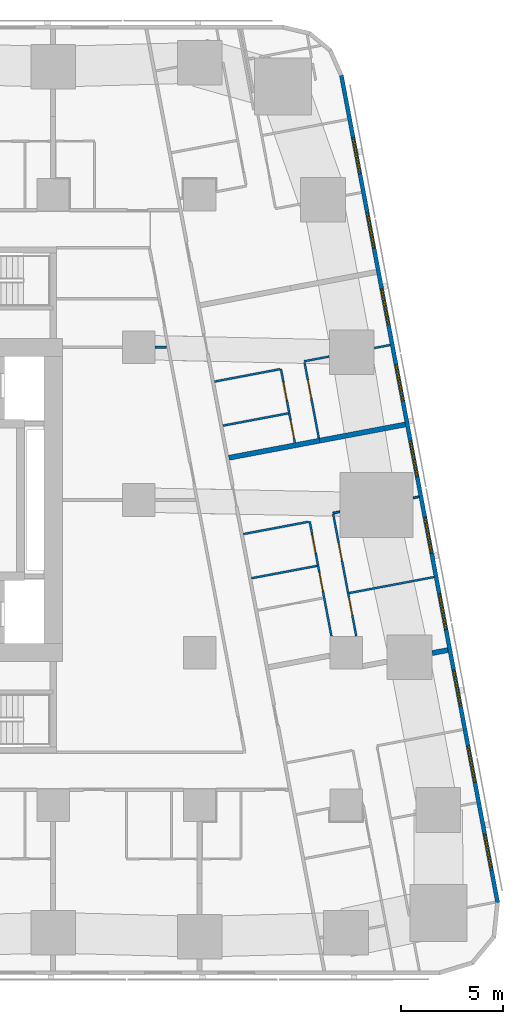
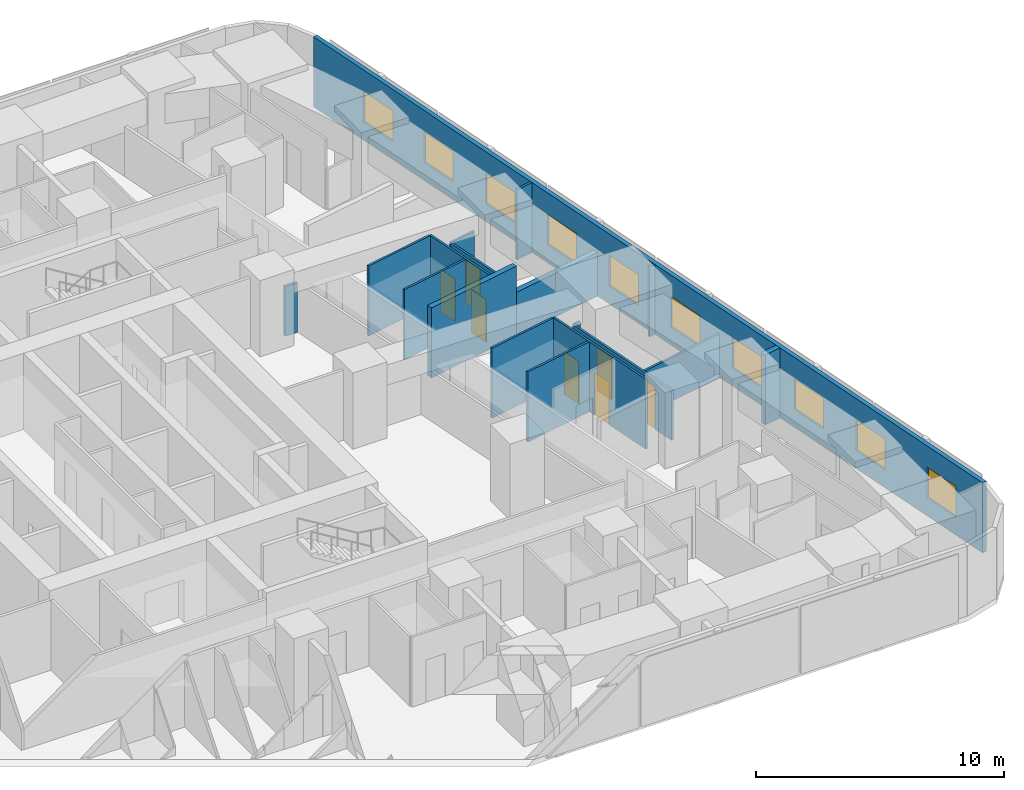
# One storey, part 7 of 14: 18 walls, 10 windows, 7 doors, 17 openings.
"""IFC4 building model written with IfcOpenShell, lengths in metres."""

from ifc_helpers import new_model, si_unit, direction, frame, frame_2d, origin, place, context, subcontext, project, spatial, rectangle, extrude, material, layer, layer_set, type_object, element, fill, save


model = new_model("IFC4")

# Units and contexts
model_context = context("Model", 3, precision=1e-05, world=origin(), true_north=direction((0.0, 1.0)))
body_context = subcontext(model_context, "Body", "Model", "MODEL_VIEW")
ifc_project = project(units=[si_unit("LENGTHUNIT", "METRE"), si_unit("AREAUNIT", "SQUARE_METRE"), si_unit("VOLUMEUNIT", "CUBIC_METRE"), si_unit("PLANEANGLEUNIT", "RADIAN"), si_unit("MASSUNIT", "GRAM", prefix="KILO")], contexts=[model_context])

# Site, building, storey
site_placement = place(None, origin())
site = spatial("IfcSite", under=ifc_project, at=site_placement, CompositionType="ELEMENT")
building_placement = place(site_placement, origin())
building = spatial("IfcBuilding", under=site, at=building_placement, Name="Sheger Commons Tower", CompositionType="ELEMENT")
storey_placement = place(building_placement, frame((0.0, 0.0, 126.64990234375)))
storey = spatial("IfcBuildingStorey", under=building, at=storey_placement, Name="L32", CompositionType="ELEMENT", Elevation=126.64990234375)

# Walls
ifc_material_1 = material(Name="Dense concrete block masonry, plastered both sides (separating wall between flats)", Category="masonry")
ifc_layer_1 = layer(ifc_material_1, 0.25)
ifc_layer_set_1 = layer_set([ifc_layer_1], Name="DEMISING WALL 250")
wall_type_1 = type_object("IfcWallType", Name="DEMISING WALL 250", PredefinedType="SOLIDWALL", material=ifc_layer_set_1)
wall_1_placement = place(storey_placement, frame((46.110107421875, 26.212890625, 0.0), z_axis=(0.0, 0.0, 1.0), x_axis=(-0.982633535512, -0.185556823879, 0.0)))
element("IfcWall", 1, at=wall_1_placement, inside=storey, type_object=wall_type_1, Name="Demising wall L32", PredefinedType="SOLIDWALL", context=body_context, shape_type="SweptSolid", body=[
    extrude(rectangle(XDim=4.2998046875, YDim=0.25, at=frame_2d((2.14990234375, 0.0))), origin(), (0.0, 0.0, 1.0), 2.150146484375),
])
wall_2_placement = place(storey_placement, frame((41.885009765625, 25.4150390625, 0.0), z_axis=(0.0, 0.0, 1.0), x_axis=(-0.982612837616, -0.185666398014, 0.0)))
element("IfcWall", 2, at=wall_2_placement, inside=storey, type_object=wall_type_1, Name="Demising wall L32", PredefinedType="SOLIDWALL", context=body_context, shape_type="SweptSolid", body=[
    extrude(rectangle(XDim=4.524658203125, YDim=0.25, at=frame_2d((2.26220703125, 0.0))), origin(), (0.0, 0.0, 1.0), 3.4501953125),
])
wall_3_placement = place(storey_placement, frame((48.2060546875, 15.1201171875, 0.0), z_axis=(0.0, 0.0, 1.0), x_axis=(-0.982638023929, -0.185533053469, 0.0)))
element("IfcWall", 3, at=wall_3_placement, inside=storey, type_object=wall_type_1, Name="Demising wall L32", PredefinedType="SOLIDWALL", context=body_context, shape_type="SweptSolid", body=[
    extrude(rectangle(XDim=0.78173828125, YDim=0.25, at=frame_2d((0.390869140625, 0.0))), origin(), (0.0, 0.0, 1.0), 3.4501953125),
])

# Wall, openings, windows
ifc_material_2 = material(Name="Rendered concrete block masonry, dark grey", Category="masonry")
ifc_layer_2 = layer(ifc_material_2, 0.199951171875)
ifc_layer_set_2 = layer_set([ifc_layer_2], Name="FACADE WALL 200")
wall_type_2 = type_object("IfcWallType", Name="FACADE WALL 200", PredefinedType="SOLIDWALL", material=ifc_layer_set_2)
wall_4_placement = place(storey_placement, frame((50.653076171875, 2.702880859375, 0.0), z_axis=(0.0, 0.0, 1.0), x_axis=(-0.185612026696, 0.982623109613, 0.0)))
wall_4 = element("IfcWall", 4, at=wall_4_placement, inside=storey, type_object=wall_type_2, Name="Facade wall L32", PredefinedType="SOLIDWALL", context=body_context, shape_type="SweptSolid", body=[
    extrude(rectangle(XDim=41.393310546875, YDim=0.199951171875, at=frame_2d((20.69677734375, 0.0))), origin(), (0.0, 0.0, 1.0), 3.4501953125),
])
opening_1_placement = place(wall_4_placement, frame((1.633056640625, 0.0, 0.89990234375)))
opening_1 = element("IfcOpeningElement", 5, at=opening_1_placement, cuts=wall_4, Name="Opening W2", PredefinedType="OPENING", context=body_context, shape_type="SweptSolid", body=[
    extrude(rectangle(XDim=1.800048828125, YDim=1.5, at=frame_2d((0.89990234375, 0.75))), frame((0.0, 0.10986328125, 0.0), z_axis=(0.0, -1.0, 0.0), x_axis=(1.0, 0.0, 0.0)), (0.0, 0.0, 1.0), 0.219970703125),
])
opening_2_placement = place(wall_4_placement, frame((6.031982421875, 0.0, 0.89990234375)))
opening_2 = element("IfcOpeningElement", 6, at=opening_2_placement, cuts=wall_4, Name="Opening W2", PredefinedType="OPENING", context=body_context, shape_type="SweptSolid", body=[
    extrude(rectangle(XDim=1.800048828125, YDim=1.5, at=frame_2d((0.89990234375, 0.75))), frame((0.0, 0.10986328125, 0.0), z_axis=(0.0, -1.0, 0.0), x_axis=(1.0, 0.0, 0.0)), (0.0, 0.0, 1.0), 0.219970703125),
])
opening_3_placement = place(wall_4_placement, frame((9.847900390625, 0.0, 0.89990234375)))
opening_3 = element("IfcOpeningElement", 7, at=opening_3_placement, cuts=wall_4, Name="Opening W2", PredefinedType="OPENING", context=body_context, shape_type="SweptSolid", body=[
    extrude(rectangle(XDim=1.800048828125, YDim=1.5, at=frame_2d((0.89990234375, 0.75))), frame((0.0, 0.10986328125, 0.0), z_axis=(0.0, -1.0, 0.0), x_axis=(1.0, 0.0, 0.0)), (0.0, 0.0, 1.0), 0.219970703125),
])
opening_4_placement = place(wall_4_placement, frame((13.6640625, 0.0, 0.89990234375)))
opening_4 = element("IfcOpeningElement", 8, at=opening_4_placement, cuts=wall_4, Name="Opening W2", PredefinedType="OPENING", context=body_context, shape_type="SweptSolid", body=[
    extrude(rectangle(XDim=1.800048828125, YDim=1.5, at=frame_2d((0.89990234375, 0.75))), frame((0.0, 0.10986328125, 0.0), z_axis=(0.0, -1.0, 0.0), x_axis=(1.0, 0.0, 0.0)), (0.0, 0.0, 1.0), 0.219970703125),
])
opening_5_placement = place(wall_4_placement, frame((17.48095703125, 0.0, 0.89990234375)))
opening_5 = element("IfcOpeningElement", 9, at=opening_5_placement, cuts=wall_4, Name="Opening W2", PredefinedType="OPENING", context=body_context, shape_type="SweptSolid", body=[
    extrude(rectangle(XDim=1.800048828125, YDim=1.5, at=frame_2d((0.89990234375, 0.75))), frame((0.0, 0.10986328125, 0.0), z_axis=(0.0, -1.0, 0.0), x_axis=(1.0, 0.0, 0.0)), (0.0, 0.0, 1.0), 0.219970703125),
])
opening_6_placement = place(wall_4_placement, frame((21.297119140625, 0.0, 0.89990234375)))
opening_6 = element("IfcOpeningElement", 10, at=opening_6_placement, cuts=wall_4, Name="Opening W2", PredefinedType="OPENING", context=body_context, shape_type="SweptSolid", body=[
    extrude(rectangle(XDim=1.800048828125, YDim=1.5, at=frame_2d((0.89990234375, 0.75))), frame((0.0, 0.10986328125, 0.0), z_axis=(0.0, -1.0, 0.0), x_axis=(1.0, 0.0, 0.0)), (0.0, 0.0, 1.0), 0.219970703125),
])
opening_7_placement = place(wall_4_placement, frame((25.113037109375, 0.0, 0.89990234375)))
opening_7 = element("IfcOpeningElement", 11, at=opening_7_placement, cuts=wall_4, Name="Opening W2", PredefinedType="OPENING", context=body_context, shape_type="SweptSolid", body=[
    extrude(rectangle(XDim=1.800048828125, YDim=1.5, at=frame_2d((0.89990234375, 0.75))), frame((0.0, 0.10986328125, 0.0), z_axis=(0.0, -1.0, 0.0), x_axis=(1.0, 0.0, 0.0)), (0.0, 0.0, 1.0), 0.219970703125),
])
opening_8_placement = place(wall_4_placement, frame((28.929931640625, 0.0, 0.89990234375)))
opening_8 = element("IfcOpeningElement", 12, at=opening_8_placement, cuts=wall_4, Name="Opening W2", PredefinedType="OPENING", context=body_context, shape_type="SweptSolid", body=[
    extrude(rectangle(XDim=1.800048828125, YDim=1.5, at=frame_2d((0.89990234375, 0.75))), frame((0.0, 0.10986328125, 0.0), z_axis=(0.0, -1.0, 0.0), x_axis=(1.0, 0.0, 0.0)), (0.0, 0.0, 1.0), 0.219970703125),
])
opening_9_placement = place(wall_4_placement, frame((32.74609375, 0.0, 0.89990234375)))
opening_9 = element("IfcOpeningElement", 13, at=opening_9_placement, cuts=wall_4, Name="Opening W2", PredefinedType="OPENING", context=body_context, shape_type="SweptSolid", body=[
    extrude(rectangle(XDim=1.800048828125, YDim=1.5, at=frame_2d((0.89990234375, 0.75))), frame((0.0, 0.10986328125, 0.0), z_axis=(0.0, -1.0, 0.0), x_axis=(1.0, 0.0, 0.0)), (0.0, 0.0, 1.0), 0.219970703125),
])
opening_10_placement = place(wall_4_placement, frame((36.48095703125, 0.0, 0.89990234375)))
opening_10 = element("IfcOpeningElement", 14, at=opening_10_placement, cuts=wall_4, Name="Opening W2", PredefinedType="OPENING", context=body_context, shape_type="SweptSolid", body=[
    extrude(rectangle(XDim=1.800048828125, YDim=1.5, at=frame_2d((0.89990234375, 0.75))), frame((0.0, 0.10986328125, 0.0), z_axis=(0.0, -1.0, 0.0), x_axis=(1.0, 0.0, 0.0)), (0.0, 0.0, 1.0), 0.219970703125),
])
ifc_material_3 = material(Name="Black aluminium frame, dark tinted double glazing", Category="aluminium")
window_type = type_object("IfcWindowType", Name="WINDOW W2 1800x1500", PartitioningType="SINGLE_PANEL", PredefinedType="WINDOW", material=ifc_material_3)
window_1_placement = place(opening_1_placement, origin())
window_1 = element("IfcWindow", 15, at=window_1_placement, inside=storey, type_object=window_type, Name="Window W2 1800X1500", OverallHeight=1.5, OverallWidth=1.800048828125, PartitioningType="SINGLE_PANEL", PredefinedType="WINDOW", context=body_context, shape_type="SweptSolid", body=[
    extrude(rectangle(XDim=1.800048828125, YDim=1.5, at=frame_2d((0.89990234375, 0.75))), frame((0.0, 0.030029296875, 0.0), z_axis=(0.0, -1.0, 0.0), x_axis=(1.0, 0.0, 0.0)), (0.0, 0.0, 1.0), 0.06005859375),
])
fill(opening_1, window_1)
window_2_placement = place(opening_2_placement, origin())
window_2 = element("IfcWindow", 16, at=window_2_placement, inside=storey, type_object=window_type, Name="Window W2 1800X1500", OverallHeight=1.5, OverallWidth=1.800048828125, PartitioningType="SINGLE_PANEL", PredefinedType="WINDOW", context=body_context, shape_type="SweptSolid", body=[
    extrude(rectangle(XDim=1.800048828125, YDim=1.5, at=frame_2d((0.89990234375, 0.75))), frame((0.0, 0.030029296875, 0.0), z_axis=(0.0, -1.0, 0.0), x_axis=(1.0, 0.0, 0.0)), (0.0, 0.0, 1.0), 0.06005859375),
])
fill(opening_2, window_2)
window_3_placement = place(opening_3_placement, origin())
window_3 = element("IfcWindow", 17, at=window_3_placement, inside=storey, type_object=window_type, Name="Window W2 1800X1500", OverallHeight=1.5, OverallWidth=1.800048828125, PartitioningType="SINGLE_PANEL", PredefinedType="WINDOW", context=body_context, shape_type="SweptSolid", body=[
    extrude(rectangle(XDim=1.800048828125, YDim=1.5, at=frame_2d((0.89990234375, 0.75))), frame((0.0, 0.030029296875, 0.0), z_axis=(0.0, -1.0, 0.0), x_axis=(1.0, 0.0, 0.0)), (0.0, 0.0, 1.0), 0.06005859375),
])
fill(opening_3, window_3)
window_4_placement = place(opening_4_placement, origin())
window_4 = element("IfcWindow", 18, at=window_4_placement, inside=storey, type_object=window_type, Name="Window W2 1800X1500", OverallHeight=1.5, OverallWidth=1.800048828125, PartitioningType="SINGLE_PANEL", PredefinedType="WINDOW", context=body_context, shape_type="SweptSolid", body=[
    extrude(rectangle(XDim=1.800048828125, YDim=1.5, at=frame_2d((0.89990234375, 0.75))), frame((0.0, 0.030029296875, 0.0), z_axis=(0.0, -1.0, 0.0), x_axis=(1.0, 0.0, 0.0)), (0.0, 0.0, 1.0), 0.06005859375),
])
fill(opening_4, window_4)
window_5_placement = place(opening_5_placement, origin())
window_5 = element("IfcWindow", 19, at=window_5_placement, inside=storey, type_object=window_type, Name="Window W2 1800X1500", OverallHeight=1.5, OverallWidth=1.800048828125, PartitioningType="SINGLE_PANEL", PredefinedType="WINDOW", context=body_context, shape_type="SweptSolid", body=[
    extrude(rectangle(XDim=1.800048828125, YDim=1.5, at=frame_2d((0.89990234375, 0.75))), frame((0.0, 0.030029296875, 0.0), z_axis=(0.0, -1.0, 0.0), x_axis=(1.0, 0.0, 0.0)), (0.0, 0.0, 1.0), 0.06005859375),
])
fill(opening_5, window_5)
window_6_placement = place(opening_6_placement, origin())
window_6 = element("IfcWindow", 20, at=window_6_placement, inside=storey, type_object=window_type, Name="Window W2 1800X1500", OverallHeight=1.5, OverallWidth=1.800048828125, PartitioningType="SINGLE_PANEL", PredefinedType="WINDOW", context=body_context, shape_type="SweptSolid", body=[
    extrude(rectangle(XDim=1.800048828125, YDim=1.5, at=frame_2d((0.89990234375, 0.75))), frame((0.0, 0.030029296875, 0.0), z_axis=(0.0, -1.0, 0.0), x_axis=(1.0, 0.0, 0.0)), (0.0, 0.0, 1.0), 0.06005859375),
])
fill(opening_6, window_6)
window_7_placement = place(opening_7_placement, origin())
window_7 = element("IfcWindow", 21, at=window_7_placement, inside=storey, type_object=window_type, Name="Window W2 1800X1500", OverallHeight=1.5, OverallWidth=1.800048828125, PartitioningType="SINGLE_PANEL", PredefinedType="WINDOW", context=body_context, shape_type="SweptSolid", body=[
    extrude(rectangle(XDim=1.800048828125, YDim=1.5, at=frame_2d((0.89990234375, 0.75))), frame((0.0, 0.030029296875, 0.0), z_axis=(0.0, -1.0, 0.0), x_axis=(1.0, 0.0, 0.0)), (0.0, 0.0, 1.0), 0.06005859375),
])
fill(opening_7, window_7)
window_8_placement = place(opening_8_placement, origin())
window_8 = element("IfcWindow", 22, at=window_8_placement, inside=storey, type_object=window_type, Name="Window W2 1800X1500", OverallHeight=1.5, OverallWidth=1.800048828125, PartitioningType="SINGLE_PANEL", PredefinedType="WINDOW", context=body_context, shape_type="SweptSolid", body=[
    extrude(rectangle(XDim=1.800048828125, YDim=1.5, at=frame_2d((0.89990234375, 0.75))), frame((0.0, 0.030029296875, 0.0), z_axis=(0.0, -1.0, 0.0), x_axis=(1.0, 0.0, 0.0)), (0.0, 0.0, 1.0), 0.06005859375),
])
fill(opening_8, window_8)
window_9_placement = place(opening_9_placement, origin())
window_9 = element("IfcWindow", 23, at=window_9_placement, inside=storey, type_object=window_type, Name="Window W2 1800X1500", OverallHeight=1.5, OverallWidth=1.800048828125, PartitioningType="SINGLE_PANEL", PredefinedType="WINDOW", context=body_context, shape_type="SweptSolid", body=[
    extrude(rectangle(XDim=1.800048828125, YDim=1.5, at=frame_2d((0.89990234375, 0.75))), frame((0.0, 0.030029296875, 0.0), z_axis=(0.0, -1.0, 0.0), x_axis=(1.0, 0.0, 0.0)), (0.0, 0.0, 1.0), 0.06005859375),
])
fill(opening_9, window_9)
window_10_placement = place(opening_10_placement, origin())
window_10 = element("IfcWindow", 24, at=window_10_placement, inside=storey, type_object=window_type, Name="Window W2 1800X1500", OverallHeight=1.5, OverallWidth=1.800048828125, PartitioningType="SINGLE_PANEL", PredefinedType="WINDOW", context=body_context, shape_type="SweptSolid", body=[
    extrude(rectangle(XDim=1.800048828125, YDim=1.5, at=frame_2d((0.89990234375, 0.75))), frame((0.0, 0.030029296875, 0.0), z_axis=(0.0, -1.0, 0.0), x_axis=(1.0, 0.0, 0.0)), (0.0, 0.0, 1.0), 0.06005859375),
])
fill(opening_10, window_10)

# Wall, opening, door
ifc_material_4 = material(Name="Gypsum board on steel studs", Category="steel")
ifc_layer_3 = layer(ifc_material_4, 0.10009765625)
ifc_layer_set_3 = layer_set([ifc_layer_3], Name="PARTITION 100")
wall_type_3 = type_object("IfcWallType", Name="PARTITION 100", PredefinedType="PARTITIONING", material=ifc_layer_set_3)
wall_5_placement = place(storey_placement, frame((41.156005859375, 29.27294921875, 0.0), z_axis=(0.0, 0.0, 1.0), x_axis=(0.185474762472, -0.982649028131, 0.0)))
wall_5 = element("IfcWall", 25, at=wall_5_placement, inside=storey, type_object=wall_type_3, Name="Partition L32", PredefinedType="PARTITIONING", context=body_context, shape_type="SweptSolid", body=[
    extrude(rectangle(XDim=3.78955078125, YDim=0.10009765625, at=frame_2d((1.894775390625, 0.0))), origin(), (0.0, 0.0, 1.0), 2.4501953125),
])
opening_11_placement = place(wall_5_placement, frame((0.89990234375, 0.0, 0.0)))
opening_11 = element("IfcOpeningElement", 26, at=opening_11_placement, cuts=wall_5, Name="Opening D2", PredefinedType="OPENING", context=body_context, shape_type="SweptSolid", body=[
    extrude(rectangle(XDim=0.89990234375, YDim=2.10009765625, at=frame_2d((0.449951171875, 1.050048828125))), frame((0.0, 0.06005859375, 0.0), z_axis=(0.0, -1.0, 0.0), x_axis=(1.0, 0.0, 0.0)), (0.0, 0.0, 1.0), 0.1201171875),
])
ifc_material_5 = material(Name="Timber door set", Category="wood")
door_type = type_object("IfcDoorType", Name="INTERNAL DOOR 900x2100", OperationType="NOTDEFINED", PredefinedType="DOOR", material=ifc_material_5)
door_1_placement = place(opening_11_placement, origin())
door_1 = element("IfcDoor", 27, at=door_1_placement, inside=storey, type_object=door_type, Name="Main bedroom door", OperationType="SINGLE_SWING_LEFT", OverallHeight=2.10009765625, OverallWidth=0.89990234375, PredefinedType="DOOR", context=body_context, shape_type="SweptSolid", body=[
    extrude(rectangle(XDim=0.89990234375, YDim=2.10009765625, at=frame_2d((0.449951171875, 1.050048828125))), frame((0.0, 0.02490234375, 0.0), z_axis=(0.0, -1.0, 0.0), x_axis=(1.0, 0.0, 0.0)), (0.0, 0.0, 1.0), 0.050048828125),
])
fill(opening_11, door_1)

# Wall, openings, doors
wall_6_placement = place(storey_placement, frame((39.9970703125, 28.94189453125, 0.0), z_axis=(0.0, 0.0, 1.0), x_axis=(0.185580474845, -0.982629069057, 0.0)))
wall_6 = element("IfcWall", 28, at=wall_6_placement, inside=storey, type_object=wall_type_3, Name="Partition L32", PredefinedType="PARTITIONING", context=body_context, shape_type="SweptSolid", body=[
    extrude(rectangle(XDim=3.684814453125, YDim=0.10009765625, at=frame_2d((1.84228515625, 0.0))), origin(), (0.0, 0.0, 1.0), 3.4501953125),
])
opening_12_placement = place(wall_6_placement, frame((0.655029296875, 0.0, 0.0)))
opening_12 = element("IfcOpeningElement", 29, at=opening_12_placement, cuts=wall_6, Name="Opening D2", PredefinedType="OPENING", context=body_context, shape_type="SweptSolid", body=[
    extrude(rectangle(XDim=0.89990234375, YDim=2.10009765625, at=frame_2d((0.449951171875, 1.050048828125))), frame((0.0, 0.06005859375, 0.0), z_axis=(0.0, -1.0, 0.0), x_axis=(1.0, 0.0, 0.0)), (0.0, 0.0, 1.0), 0.1201171875),
])
opening_13_placement = place(wall_6_placement, frame((2.56298828125, 0.0, 0.0)))
opening_13 = element("IfcOpeningElement", 30, at=opening_13_placement, cuts=wall_6, Name="Opening D2", PredefinedType="OPENING", context=body_context, shape_type="SweptSolid", body=[
    extrude(rectangle(XDim=0.89990234375, YDim=2.10009765625, at=frame_2d((0.449951171875, 1.050048828125))), frame((0.0, 0.06005859375, 0.0), z_axis=(0.0, -1.0, 0.0), x_axis=(1.0, 0.0, 0.0)), (0.0, 0.0, 1.0), 0.1201171875),
])
door_2_placement = place(opening_12_placement, origin())
door_2 = element("IfcDoor", 31, at=door_2_placement, inside=storey, type_object=door_type, Name="Bathroom door", OperationType="SINGLE_SWING_RIGHT", OverallHeight=2.10009765625, OverallWidth=0.89990234375, PredefinedType="DOOR", context=body_context, shape_type="SweptSolid", body=[
    extrude(rectangle(XDim=0.89990234375, YDim=2.10009765625, at=frame_2d((0.449951171875, 1.050048828125))), frame((0.0, 0.02490234375, 0.0), z_axis=(0.0, -1.0, 0.0), x_axis=(1.0, 0.0, 0.0)), (0.0, 0.0, 1.0), 0.050048828125),
])
fill(opening_12, door_2)
door_3_placement = place(opening_13_placement, origin())
door_3 = element("IfcDoor", 32, at=door_3_placement, inside=storey, type_object=door_type, Name="Store door", OperationType="SINGLE_SWING_LEFT", OverallHeight=2.10009765625, OverallWidth=0.89990234375, PredefinedType="DOOR", context=body_context, shape_type="SweptSolid", body=[
    extrude(rectangle(XDim=0.89990234375, YDim=2.10009765625, at=frame_2d((0.449951171875, 1.050048828125))), frame((0.0, 0.02490234375, 0.0), z_axis=(0.0, -1.0, 0.0), x_axis=(1.0, 0.0, 0.0)), (0.0, 0.0, 1.0), 0.050048828125),
])
fill(opening_13, door_3)

# Walls
wall_7_placement = place(storey_placement, frame((45.3720703125, 30.12109375, 0.0), z_axis=(0.0, 0.0, 1.0), x_axis=(-0.982512656401, -0.186195810938, 0.0)))
element("IfcWall", 33, at=wall_7_placement, inside=storey, type_object=wall_type_3, Name="Partition L32", PredefinedType="PARTITIONING", context=body_context, shape_type="SweptSolid", body=[
    extrude(rectangle(XDim=0.7958984375, YDim=0.10009765625, at=frame_2d((0.39794921875, 0.0))), origin(), (0.0, 0.0, 1.0), 3.4501953125),
])
wall_8_placement = place(storey_placement, frame((42.3701171875, 29.552978515625, 0.0), z_axis=(0.0, 0.0, 1.0), x_axis=(-0.98263602344, -0.185543648338, 0.0)))
element("IfcWall", 34, at=wall_8_placement, inside=storey, type_object=wall_type_3, Name="Partition L32", PredefinedType="PARTITIONING", context=body_context, shape_type="SweptSolid", body=[
    extrude(rectangle(XDim=1.244873046875, YDim=0.10009765625, at=frame_2d((0.62255859375, 0.0))), origin(), (0.0, 0.0, 1.0), 2.4501953125),
])
wall_9_placement = place(storey_placement, frame((39.947998046875, 28.93310546875, 0.0), z_axis=(0.0, 0.0, 1.0), x_axis=(-0.982542259571, -0.186039533857, 0.0)))
element("IfcWall", 35, at=wall_9_placement, inside=storey, type_object=wall_type_3, Name="Partition L32", PredefinedType="PARTITIONING", context=body_context, shape_type="SweptSolid", body=[
    extrude(rectangle(XDim=3.274169921875, YDim=0.10009765625, at=frame_2d((1.63720703125, 0.0))), origin(), (0.0, 0.0, 1.0), 3.4501953125),
])
wall_10_placement = place(storey_placement, frame((40.35791015625, 26.760986328125, 0.0), z_axis=(0.0, 0.0, 1.0), x_axis=(-0.982607776398, -0.185693181787, 0.0)))
element("IfcWall", 36, at=wall_10_placement, inside=storey, type_object=wall_type_3, Name="Partition L32", PredefinedType="PARTITIONING", context=body_context, shape_type="SweptSolid", body=[
    extrude(rectangle(XDim=3.273681640625, YDim=0.10009765625, at=frame_2d((1.63671875, 0.0))), origin(), (0.0, 0.0, 1.0), 3.4501953125),
])

# Wall, openings, doors
wall_11_placement = place(storey_placement, frame((42.56591796875, 21.80908203125, 0.0), z_axis=(0.0, 0.0, 1.0), x_axis=(0.18559218796, -0.982626856832, 0.0)))
wall_11 = element("IfcWall", 37, at=wall_11_placement, inside=storey, type_object=wall_type_3, Name="Partition L32", PredefinedType="PARTITIONING", context=body_context, shape_type="SweptSolid", body=[
    extrude(rectangle(XDim=6.10498046875, YDim=0.10009765625, at=frame_2d((3.052490234375, 0.0))), origin(), (0.0, 0.0, 1.0), 2.4501953125),
])
opening_14_placement = place(wall_11_placement, frame((1.449951171875, 0.0, 0.0)))
opening_14 = element("IfcOpeningElement", 38, at=opening_14_placement, cuts=wall_11, Name="Opening D2", PredefinedType="OPENING", context=body_context, shape_type="SweptSolid", body=[
    extrude(rectangle(XDim=0.89990234375, YDim=2.10009765625, at=frame_2d((0.449951171875, 1.050048828125))), frame((0.0, 0.06005859375, 0.0), z_axis=(0.0, -1.0, 0.0), x_axis=(1.0, 0.0, 0.0)), (0.0, 0.0, 1.0), 0.1201171875),
])
opening_15_placement = place(wall_11_placement, frame((4.1630859375, 0.0, 0.0)))
opening_15 = element("IfcOpeningElement", 39, at=opening_15_placement, cuts=wall_11, Name="Opening D2", PredefinedType="OPENING", context=body_context, shape_type="SweptSolid", body=[
    extrude(rectangle(XDim=0.89990234375, YDim=2.10009765625, at=frame_2d((0.449951171875, 1.050048828125))), frame((0.0, 0.06005859375, 0.0), z_axis=(0.0, -1.0, 0.0), x_axis=(1.0, 0.0, 0.0)), (0.0, 0.0, 1.0), 0.1201171875),
])
door_4_placement = place(opening_14_placement, origin())
door_4 = element("IfcDoor", 40, at=door_4_placement, inside=storey, type_object=door_type, Name="Main bedroom door", OperationType="SINGLE_SWING_LEFT", OverallHeight=2.10009765625, OverallWidth=0.89990234375, PredefinedType="DOOR", context=body_context, shape_type="SweptSolid", body=[
    extrude(rectangle(XDim=0.89990234375, YDim=2.10009765625, at=frame_2d((0.449951171875, 1.050048828125))), frame((0.0, 0.02490234375, 0.0), z_axis=(0.0, -1.0, 0.0), x_axis=(1.0, 0.0, 0.0)), (0.0, 0.0, 1.0), 0.050048828125),
])
fill(opening_14, door_4)
door_5_placement = place(opening_15_placement, origin())
door_5 = element("IfcDoor", 41, at=door_5_placement, inside=storey, type_object=door_type, Name="Bedroom 2 door", OperationType="SINGLE_SWING_LEFT", OverallHeight=2.10009765625, OverallWidth=0.89990234375, PredefinedType="DOOR", context=body_context, shape_type="SweptSolid", body=[
    extrude(rectangle(XDim=0.89990234375, YDim=2.10009765625, at=frame_2d((0.449951171875, 1.050048828125))), frame((0.0, 0.02490234375, 0.0), z_axis=(0.0, -1.0, 0.0), x_axis=(1.0, 0.0, 0.0)), (0.0, 0.0, 1.0), 0.050048828125),
])
fill(opening_15, door_5)

wall_12_placement = place(storey_placement, frame((41.4140625, 21.44189453125, 0.0), z_axis=(0.0, 0.0, 1.0), x_axis=(0.185636022079, -0.982618576716, 0.0)))
wall_12 = element("IfcWall", 42, at=wall_12_placement, inside=storey, type_object=wall_type_3, Name="Partition L32", PredefinedType="PARTITIONING", context=body_context, shape_type="SweptSolid", body=[
    extrude(rectangle(XDim=5.7314453125, YDim=0.10009765625, at=frame_2d((2.86572265625, 0.0))), origin(), (0.0, 0.0, 1.0), 3.4501953125),
])
opening_16_placement = place(wall_12_placement, frame((0.655029296875, 0.0, 0.0)))
opening_16 = element("IfcOpeningElement", 43, at=opening_16_placement, cuts=wall_12, Name="Opening D2", PredefinedType="OPENING", context=body_context, shape_type="SweptSolid", body=[
    extrude(rectangle(XDim=0.89990234375, YDim=2.10009765625, at=frame_2d((0.449951171875, 1.050048828125))), frame((0.0, 0.06005859375, 0.0), z_axis=(0.0, -1.0, 0.0), x_axis=(1.0, 0.0, 0.0)), (0.0, 0.0, 1.0), 0.1201171875),
])
opening_17_placement = place(wall_12_placement, frame((2.56298828125, 0.0, 0.0)))
opening_17 = element("IfcOpeningElement", 44, at=opening_17_placement, cuts=wall_12, Name="Opening D2", PredefinedType="OPENING", context=body_context, shape_type="SweptSolid", body=[
    extrude(rectangle(XDim=0.89990234375, YDim=2.10009765625, at=frame_2d((0.449951171875, 1.050048828125))), frame((0.0, 0.06005859375, 0.0), z_axis=(0.0, -1.0, 0.0), x_axis=(1.0, 0.0, 0.0)), (0.0, 0.0, 1.0), 0.1201171875),
])
door_6_placement = place(opening_16_placement, origin())
door_6 = element("IfcDoor", 45, at=door_6_placement, inside=storey, type_object=door_type, Name="Bathroom door", OperationType="SINGLE_SWING_RIGHT", OverallHeight=2.10009765625, OverallWidth=0.89990234375, PredefinedType="DOOR", context=body_context, shape_type="SweptSolid", body=[
    extrude(rectangle(XDim=0.89990234375, YDim=2.10009765625, at=frame_2d((0.449951171875, 1.050048828125))), frame((0.0, 0.02490234375, 0.0), z_axis=(0.0, -1.0, 0.0), x_axis=(1.0, 0.0, 0.0)), (0.0, 0.0, 1.0), 0.050048828125),
])
fill(opening_16, door_6)
door_7_placement = place(opening_17_placement, origin())
door_7 = element("IfcDoor", 46, at=door_7_placement, inside=storey, type_object=door_type, Name="Store door", OperationType="SINGLE_SWING_LEFT", OverallHeight=2.10009765625, OverallWidth=0.89990234375, PredefinedType="DOOR", context=body_context, shape_type="SweptSolid", body=[
    extrude(rectangle(XDim=0.89990234375, YDim=2.10009765625, at=frame_2d((0.449951171875, 1.050048828125))), frame((0.0, 0.02490234375, 0.0), z_axis=(0.0, -1.0, 0.0), x_axis=(1.0, 0.0, 0.0)), (0.0, 0.0, 1.0), 0.050048828125),
])
fill(opening_17, door_7)

# Walls
wall_13_placement = place(storey_placement, frame((46.781982421875, 22.656982421875, 0.0), z_axis=(0.0, 0.0, 1.0), x_axis=(-0.982574553168, -0.185868898601, 0.0)))
element("IfcWall", 47, at=wall_13_placement, inside=storey, type_object=wall_type_3, Name="Partition L32", PredefinedType="PARTITIONING", context=body_context, shape_type="SweptSolid", body=[
    extrude(rectangle(XDim=0.27978515625, YDim=0.10009765625, at=frame_2d((0.139892578125, 0.0))), origin(), (0.0, 0.0, 1.0), 3.4501953125),
])
wall_14_placement = place(storey_placement, frame((42.886962890625, 21.9208984375, 0.0), z_axis=(0.0, 0.0, 1.0), x_axis=(-0.982274918032, -0.187445953293, 0.0)))
element("IfcWall", 48, at=wall_14_placement, inside=storey, type_object=wall_type_3, Name="Partition L32", PredefinedType="PARTITIONING", context=body_context, shape_type="SweptSolid", body=[
    extrude(rectangle(XDim=0.3359375, YDim=0.10009765625, at=frame_2d((0.16796875, 0.0))), origin(), (0.0, 0.0, 1.0), 2.4501953125),
])
wall_15_placement = place(storey_placement, frame((47.527099609375, 18.7119140625, 0.0), z_axis=(0.0, 0.0, 1.0), x_axis=(-0.982665405803, -0.185387972203, 0.0)))
element("IfcWall", 49, at=wall_15_placement, inside=storey, type_object=wall_type_3, Name="Partition L32", PredefinedType="PARTITIONING", context=body_context, shape_type="SweptSolid", body=[
    extrude(rectangle(XDim=4.249755859375, YDim=0.10009765625, at=frame_2d((2.125, 0.0))), origin(), (0.0, 0.0, 1.0), 2.150146484375),
])
for number, where, z_axis, x_axis, name in (
    (50, (41.364990234375, 21.43310546875, 0.0), (0.0, 0.0, 1.0), (-0.982607026909, -0.185697147715, 0.0), "Partition L32"),
    (51, (41.77490234375, 19.260986328125, 0.0), (0.0, 0.0, 1.0), (-0.982620626894, -0.185625169636, 0.0), "Partition L32"),
):
    element("IfcWall", number, at=place(storey_placement, frame(where, z_axis=z_axis, x_axis=x_axis)), inside=storey, type_object=wall_type_3, Name=name, PredefinedType="PARTITIONING", context=body_context, shape_type="SweptSolid", body=[
        extrude(rectangle(XDim=3.27490234375, YDim=0.10009765625, at=frame_2d((1.637451171875, 0.0))), origin(), (0.0, 0.0, 1.0), 3.4501953125),
    ])
ifc_material_6 = material(Name="Gypsum board on steel studs, two layers each side, fire rated", Category="steel")
ifc_layer_4 = layer(ifc_material_6, 0.125)
ifc_layer_set_4 = layer_set([ifc_layer_4], Name="SERVICE WALL 125")
wall_type_4 = type_object("IfcWallType", Name="SERVICE WALL 125", PredefinedType="PARTITIONING", material=ifc_layer_set_4)
wall_16_placement = place(storey_placement, frame((33.801025390625, 30.0, 0.0), z_axis=(0.0, 0.0, 1.0), x_axis=(1.0, 0.0, 0.0)))
element("IfcWall", 52, at=wall_16_placement, inside=storey, type_object=wall_type_4, Name="Service room wall L32", PredefinedType="PARTITIONING", context=body_context, shape_type="SweptSolid", body=[
    extrude(rectangle(XDim=0.577880859375, YDim=0.125, at=frame_2d((0.2890625, 0.0))), origin(), (0.0, 0.0, 1.0), 2.4501953125),
])

save(model, "model.ifc")
